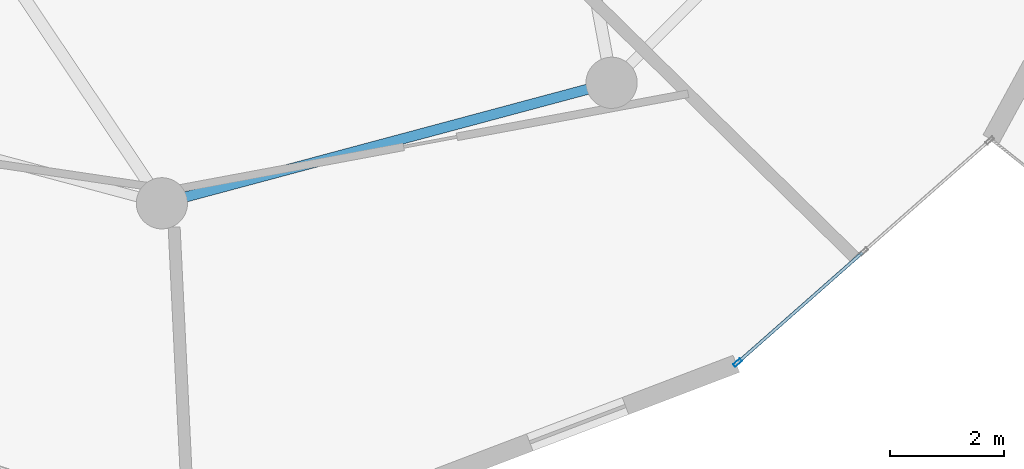
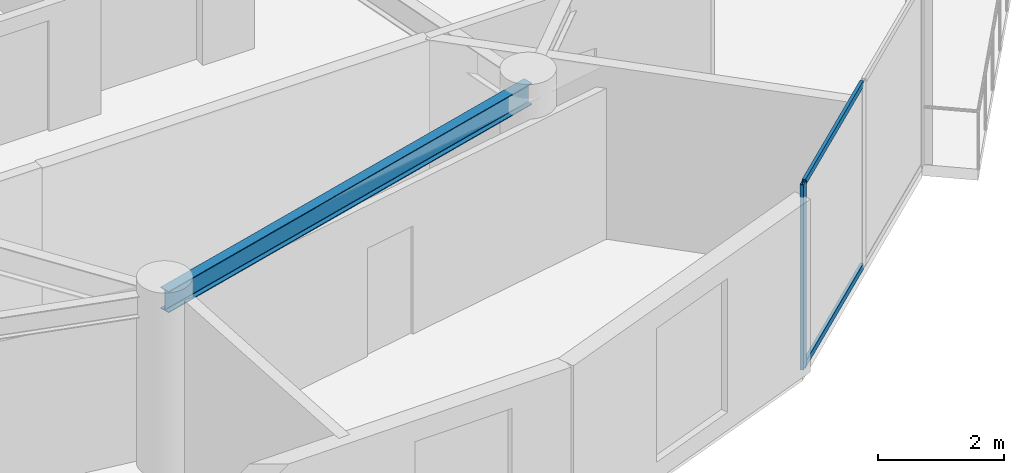
# One storey, part 4 of 18: 3 members, 1 beam, 1 element without a shape of its own.
"""IFC4 building model written with IfcOpenShell, lengths in metres."""

from ifc_helpers import new_model, si_unit, direction, frame, origin, origin_2d, place, context, subcontext, project, spatial, hollow_rectangle, i_section, extrude, source, transform, mapped, material, layer, layer_set, material_profile, profile_set, type_object, element, aggregate, save


model = new_model("IFC4")

# Units and contexts
model_context = context("Model", 3, precision=1e-05, world=origin(), true_north=direction((0.0, 1.0)))
body_context = subcontext(model_context, "Body", "Model", "MODEL_VIEW")
ifc_project = project(units=[si_unit("LENGTHUNIT", "METRE"), si_unit("AREAUNIT", "SQUARE_METRE"), si_unit("VOLUMEUNIT", "CUBIC_METRE"), si_unit("PLANEANGLEUNIT", "RADIAN"), si_unit("MASSUNIT", "GRAM", prefix="KILO")], contexts=[model_context])

# Site, building, storey
site_placement = place(None, origin())
site = spatial("IfcSite", under=ifc_project, at=site_placement, CompositionType="ELEMENT")
building_placement = place(site_placement, origin())
building = spatial("IfcBuilding", under=site, at=building_placement, Name="Solvirekh Grand Hotel", CompositionType="ELEMENT")
storey_placement = place(building_placement, frame((0.0, 0.0, 187.60009765625)))
storey = spatial("IfcBuildingStorey", under=building, at=storey_placement, Name="L48", CompositionType="ELEMENT", Elevation=187.60009765625)

# Beam
ifc_material_1 = material(Name="Steel S355", Category="steel")
ifc_material_profile_1 = material_profile(ifc_material_1, i_section(OverallWidth=0.180908203125, OverallDepth=0.4169921875, WebThickness=0.010009765625, FlangeThickness=0.01611328125, FilletRadius=0.011962890625, at=origin_2d()), Name="W410X85")
ifc_profile_set_1 = profile_set([ifc_material_profile_1], Name="Steel S355")
beam_type = type_object("IfcBeamType", Name="Spandrel_Ring_W410", PredefinedType="SPANDREL", material=ifc_profile_set_1)
beam_placement = place(storey_placement, frame((0.0, -15.800048828125, 3.15185546875), z_axis=(0.965920601923, 0.258838541915, 0.0), x_axis=(-0.258838541915, 0.965920601923, 0.0)))
element("IfcBeam", 1, at=beam_placement, inside=storey, type_object=beam_type, Name="L48 perimeter spandrel beam 10", PredefinedType="SPANDREL", context=body_context, shape_type="SweptSolid", body=[
    extrude(i_section(OverallWidth=0.180908203125, OverallDepth=0.4169921875, WebThickness=0.010009765625, FlangeThickness=0.01611328125, FilletRadius=0.011962890625, at=origin_2d()), origin(), (0.0, 0.0, 1.0), 8.1787109375),
])

# Curtain wall, members
ifc_material_2 = material(Name="Anodized Bronze Aluminium 6063-T6", Category="aluminium")
ifc_layer = layer(ifc_material_2, 0.159912109375)
ifc_layer_set = layer_set([ifc_layer], Name="Anodized Bronze Aluminium 6063-T6")
curtain_wall_type = type_object("IfcCurtainWallType", Name="CW_Sys4_HighZoneFlushBronzeCW", PredefinedType="NOTDEFINED", material=ifc_layer_set)
curtain_wall_placement = place(storey_placement, origin())
curtain_wall = element("IfcCurtainWall", 2, at=curtain_wall_placement, inside=storey, type_object=curtain_wall_type, Name="L48 unitised bronze-glass curtain wall CW-L48-C01", PredefinedType="NOTDEFINED")
ifc_material_profile_2 = material_profile(ifc_material_2, hollow_rectangle(XDim=0.06005859375, YDim=0.159912109375, WallThickness=0.0048828125, at=origin_2d()), Name="ALU RHS 160X60X5")
ifc_profile_set_2 = profile_set([ifc_material_profile_2], Name="Anodized Bronze Aluminium 6063-T6")
member_type_1 = type_object("IfcMemberType", Name="CWMullion_Sys4", PredefinedType="MULLION", material=ifc_profile_set_2)
shared_shape_1 = source(origin(), body_context, "Body", "SweptSolid", [
    extrude(hollow_rectangle(XDim=0.06005859375, YDim=0.159912109375, WallThickness=0.0048828125, at=origin_2d()), origin(), (0.0, 0.0, 1.0), 3.599853515625),
])
member_1_placement = place(storey_placement, frame((10.113525390625, -18.60009765625, 0.0), z_axis=(0.0, 0.0, 1.0), x_axis=(-0.66130009529, 0.750121446147, 0.0)))
member_1 = element("IfcMember", 3, at=member_1_placement, type_object=member_type_1, Name="U04 mullion 1", PredefinedType="MULLION", context=body_context, shape_type="MappedRepresentation", body=[
    mapped(shared_shape_1, transform((0.0, 0.0, 0.0), x_axis=(1.0, 0.0, 0.0), y_axis=(0.0, 1.0, 0.0), z_axis=(0.0, 0.0, 1.0), scale=1.0)),
])
ifc_material_profile_3 = material_profile(ifc_material_2, hollow_rectangle(XDim=0.054931640625, YDim=0.1201171875, WallThickness=0.00390625, at=origin_2d()), Name="ALU RHS 120X55X4")
ifc_profile_set_3 = profile_set([ifc_material_profile_3], Name="Anodized Bronze Aluminium 6063-T6")
member_type_2 = type_object("IfcMemberType", Name="CWTransom_Sys4", PredefinedType="USERDEFINED", material=ifc_profile_set_3)
shared_shape_2 = source(origin(), body_context, "Body", "SweptSolid", [
    extrude(hollow_rectangle(XDim=0.054931640625, YDim=0.1201171875, WallThickness=0.00390625, at=origin_2d()), origin(), (0.0, 0.0, 1.0), 2.8935546875),
])
member_2_placement = place(storey_placement, frame((10.135986328125, -18.580322265625, 0.02734375), z_axis=(0.75009387901, 0.661331363744, 0.0), x_axis=(-0.661331363744, 0.75009387901, 0.0)))
member_2 = element("IfcMember", 4, at=member_2_placement, type_object=member_type_2, Name="U04 transom 1.1", ObjectType="TRANSOM", PredefinedType="USERDEFINED", context=body_context, shape_type="MappedRepresentation", body=[
    mapped(shared_shape_2, transform((0.0, 0.0, 0.0), x_axis=(1.0, 0.0, 0.0), y_axis=(0.0, 1.0, 0.0), z_axis=(0.0, 0.0, 1.0), scale=1.0)),
])
member_3_placement = place(storey_placement, frame((10.135986328125, -18.580322265625, 3.572509765625), z_axis=(0.75009387901, 0.661331363744, 0.0), x_axis=(-0.661331363744, 0.75009387901, 0.0)))
member_3 = element("IfcMember", 5, at=member_3_placement, type_object=member_type_2, Name="U04 transom 1.2", ObjectType="TRANSOM", PredefinedType="USERDEFINED", context=body_context, shape_type="MappedRepresentation", body=[
    mapped(shared_shape_2, transform((0.0, 0.0, 0.0), x_axis=(1.0, 0.0, 0.0), y_axis=(0.0, 1.0, 0.0), z_axis=(0.0, 0.0, 1.0), scale=1.0)),
])
aggregate(curtain_wall, [member_1, member_2, member_3])

save(model, "model.ifc")
